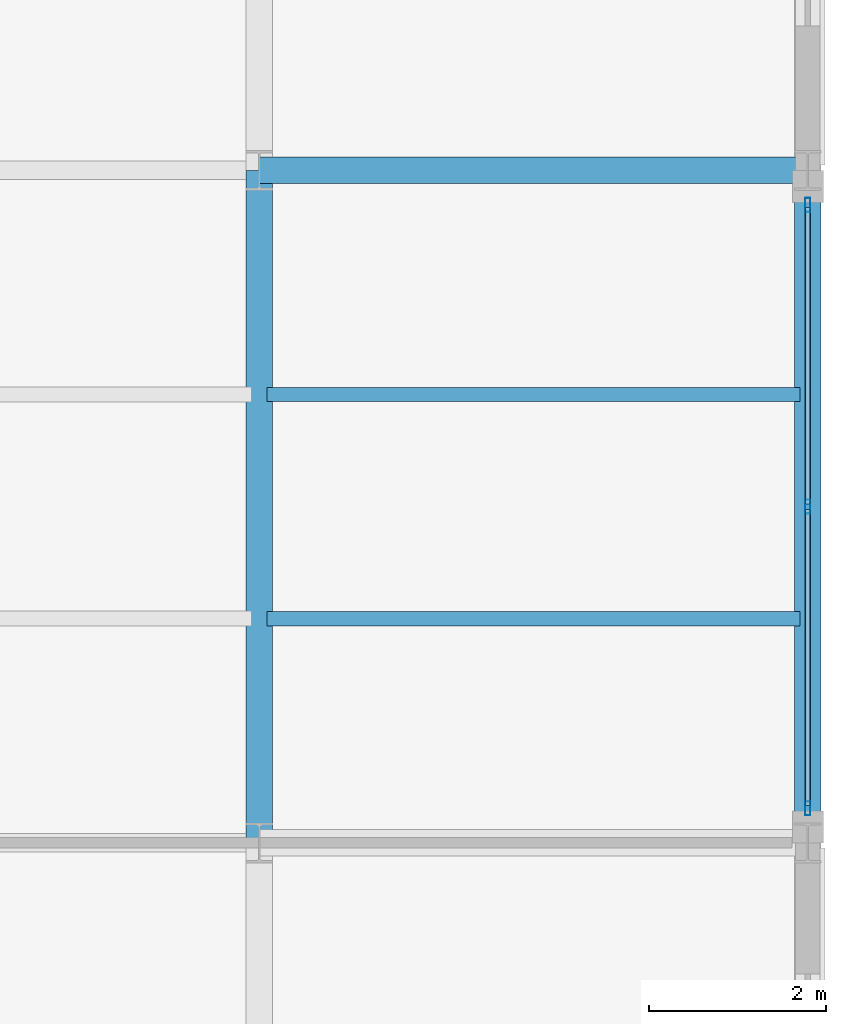
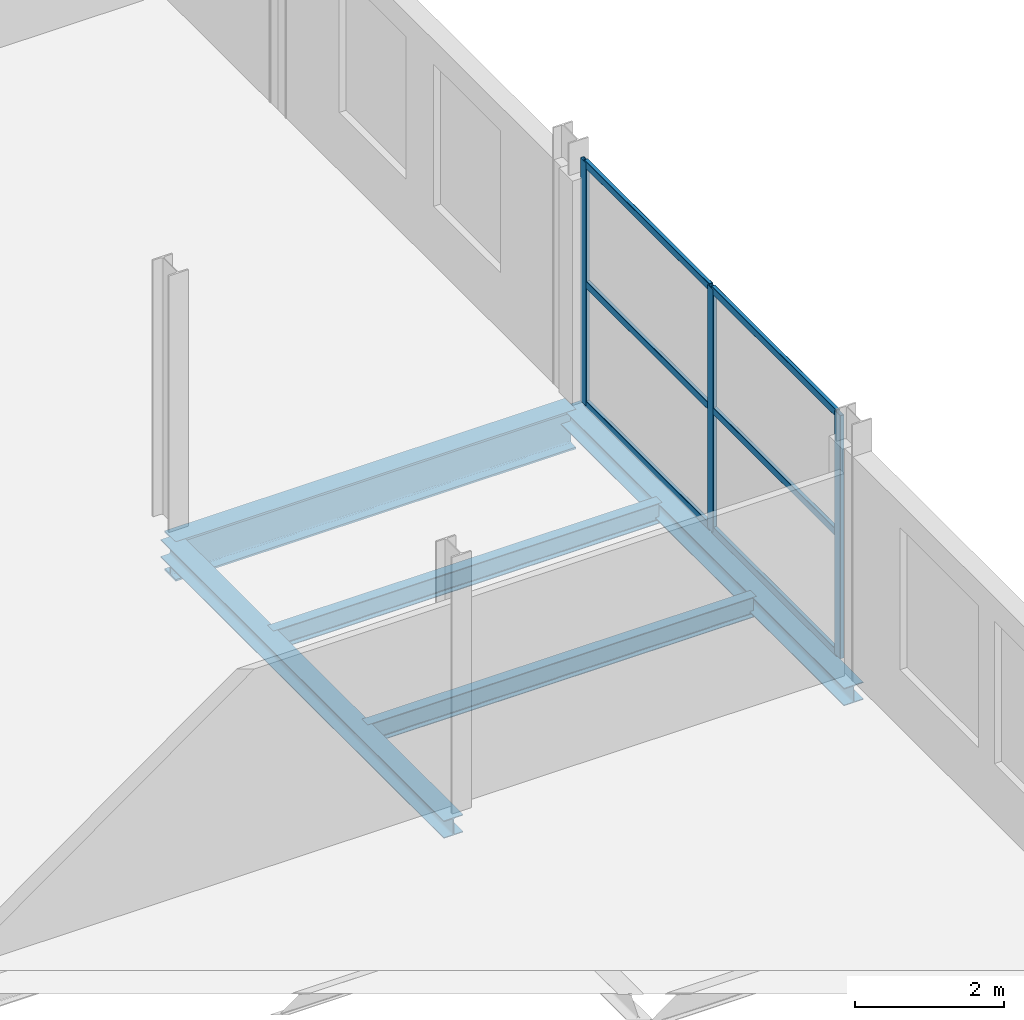
# One storey, part 73 of 93: 9 members, 5 beams, 1 element without a shape of its own.
"""IFC4 building model written with IfcOpenShell, lengths in metres."""

from ifc_helpers import new_model, si_unit, direction, frame, origin, origin_2d, place, context, subcontext, project, spatial, hollow_rectangle, i_section, extrude, material, layer, layer_set, material_profile, profile_set, type_object, element, aggregate, save


model = new_model("IFC4")

# Units and contexts
model_context = context("Model", 3, precision=1e-05, world=origin(), true_north=direction((0.0, 1.0)))
body_context = subcontext(model_context, "Body", "Model", "MODEL_VIEW")
ifc_project = project(units=[si_unit("LENGTHUNIT", "METRE"), si_unit("AREAUNIT", "SQUARE_METRE"), si_unit("VOLUMEUNIT", "CUBIC_METRE"), si_unit("PLANEANGLEUNIT", "RADIAN"), si_unit("MASSUNIT", "GRAM", prefix="KILO")], contexts=[model_context])

# Site, building, storey
site_placement = place(None, origin())
site = spatial("IfcSite", under=ifc_project, at=site_placement, CompositionType="ELEMENT")
building_placement = place(site_placement, origin())
building = spatial("IfcBuilding", under=site, at=building_placement, Name="Vekula Escarpment Museum", CompositionType="ELEMENT")
storey_placement = place(building_placement, frame((0.0, 0.0, 22.199951171875)))
storey = spatial("IfcBuildingStorey", under=building, at=storey_placement, Name="L05", CompositionType="ELEMENT", Elevation=22.199951171875)

# Beams
ifc_material_1 = material(Name="Steel S355", Category="steel")
ifc_material_profile_1 = material_profile(ifc_material_1, i_section(OverallWidth=0.300048828125, OverallDepth=0.64990234375, WebThickness=0.01611328125, FlangeThickness=0.031005859375, FilletRadius=0.027099609375, at=origin_2d()), Name="HEB 650")
ifc_profile_set_1 = profile_set([ifc_material_profile_1], Name="Steel S355")
beam_type_1 = type_object("IfcBeamType", Name="BM-GIRD-HEB650", PredefinedType="BEAM", material=ifc_profile_set_1)
beam_placement = place(storey_placement, frame((191.800048828125, 105.60009765625, -0.574951171875), z_axis=(1.0, 0.0, 0.0), x_axis=(0.0, 1.0, 0.0)))
element("IfcBeam", 1, at=beam_placement, inside=storey, type_object=beam_type_1, Name="Beam X L05 2062", PredefinedType="BEAM", context=body_context, shape_type="SweptSolid", body=[
    extrude(i_section(OverallWidth=0.300048828125, OverallDepth=0.64990234375, WebThickness=0.01611328125, FlangeThickness=0.031005859375, FilletRadius=0.027099609375, at=origin_2d()), origin(), (0.0, 0.0, 1.0), 6.199951171875),
])
ifc_material_2 = material(Name="Steel S355", Category="steel")
ifc_material_profile_2 = material_profile(ifc_material_2, i_section(OverallWidth=0.159912109375, OverallDepth=0.330078125, WebThickness=0.007568359375, FlangeThickness=0.011474609375, FilletRadius=0.01806640625, at=origin_2d()), Name="IPE 330")
ifc_profile_set_2 = profile_set([ifc_material_profile_2], Name="Steel S355")
beam_type_2 = type_object("IfcBeamType", Name="BM-JST-IPE330", PredefinedType="JOIST", material=ifc_profile_set_2)
for number, where, z_axis, x_axis, name in (
    (2, (191.889892578125, 100.533203125, -0.4150390625), (1.0, 0.0, 0.0), (0.0, 1.0, 0.0), "Secondary Joist L05 1421"),
    (3, (191.889892578125, 103.066650390625, -0.4150390625), (1.0, 0.0, 0.0), (0.0, 1.0, 0.0), "Secondary Joist L05 1422"),
):
    element("IfcBeam", number, at=place(storey_placement, frame(where, z_axis=z_axis, x_axis=x_axis)), inside=storey, type_object=beam_type_2, Name=name, PredefinedType="JOIST", context=body_context, shape_type="SweptSolid", body=[
        extrude(i_section(OverallWidth=0.159912109375, OverallDepth=0.330078125, WebThickness=0.007568359375, FlangeThickness=0.011474609375, FilletRadius=0.01806640625, at=origin_2d()), origin(), (0.0, 0.0, 1.0), 6.02001953125),
    ])
ifc_material_3 = material(Name="Steel S355", Category="steel")
ifc_material_profile_3 = material_profile(ifc_material_3, i_section(OverallWidth=0.300048828125, OverallDepth=0.2900390625, WebThickness=0.008544921875, FlangeThickness=0.013916015625, FilletRadius=0.027099609375, at=origin_2d()), Name="HEA 300")
ifc_profile_set_3 = profile_set([ifc_material_profile_3], Name="Steel S355")
beam_type_3 = type_object("IfcBeamType", Name="BM-SPAN-HEA300", PredefinedType="SPANDREL", material=ifc_profile_set_3)
for number, where, z_axis, x_axis, name in (
    (4, (191.800048828125, 98.0, -0.39501953125), (0.0, 1.0, 0.0), (-1.0, 0.0, 0.0), "Beam Y L05 2181"),
    (5, (198.0, 98.0, -0.39501953125), (0.0, 1.0, 0.0), (-1.0, 0.0, 0.0), "Beam Y L05 2189"),
):
    element("IfcBeam", number, at=place(storey_placement, frame(where, z_axis=z_axis, x_axis=x_axis)), inside=storey, type_object=beam_type_3, Name=name, PredefinedType="SPANDREL", context=body_context, shape_type="SweptSolid", body=[
        extrude(i_section(OverallWidth=0.300048828125, OverallDepth=0.2900390625, WebThickness=0.008544921875, FlangeThickness=0.013916015625, FilletRadius=0.027099609375, at=origin_2d()), origin(), (0.0, 0.0, 1.0), 7.60009765625),
    ])

# Curtain wall, members
ifc_material_4 = material(Name="Aluminium thermally broken framing", Category="aluminium")
ifc_layer = layer(ifc_material_4, 0.179931640625)
ifc_layer_set = layer_set([ifc_layer], Name="Aluminium thermally broken framing")
curtain_wall_type = type_object("IfcCurtainWallType", Name="CW-SYS-07", PredefinedType="NOTDEFINED", material=ifc_layer_set)
curtain_wall_placement = place(storey_placement, origin())
curtain_wall = element("IfcCurtainWall", 6, at=curtain_wall_placement, inside=storey, type_object=curtain_wall_type, Name="Curtain Wall CW-L05-187", PredefinedType="NOTDEFINED")
ifc_material_5 = material(Name="Aluminium anodized mullion", Category="aluminium")
ifc_material_profile_4 = material_profile(ifc_material_5, hollow_rectangle(XDim=0.06005859375, YDim=0.159912109375, WallThickness=0.00390625, InnerFilletRadius=0.00390625, OuterFilletRadius=0.008056640625, at=origin_2d()), Name="ALU 160x60x4")
ifc_profile_set_4 = profile_set([ifc_material_profile_4], Name="Aluminium anodized mullion")
member_type_1 = type_object("IfcMemberType", Name="CW-MUL-160", PredefinedType="MULLION", material=ifc_profile_set_4)
member_1_placement = place(storey_placement, frame((198.0, 98.389892578125, 0.0), z_axis=(0.0, 0.0, 1.0), x_axis=(-1.0, 0.0, 0.0)))
member_1 = element("IfcMember", 7, at=member_1_placement, type_object=member_type_1, Name="CW-07 mullion 1", PredefinedType="MULLION", context=body_context, shape_type="SweptSolid", body=[
    extrude(hollow_rectangle(XDim=0.06005859375, YDim=0.159912109375, WallThickness=0.00390625, InnerFilletRadius=0.00390625, OuterFilletRadius=0.008056640625, at=origin_2d()), origin(), (0.0, 0.0, 1.0), 3.97998046875),
])
member_2_placement = place(storey_placement, frame((198.0, 101.800048828125, 0.0), z_axis=(0.0, 0.0, 1.0), x_axis=(-1.0, 0.0, 0.0)))
member_2 = element("IfcMember", 8, at=member_2_placement, type_object=member_type_1, Name="CW-07 mullion 2", PredefinedType="MULLION", context=body_context, shape_type="SweptSolid", body=[
    extrude(hollow_rectangle(XDim=0.06005859375, YDim=0.159912109375, WallThickness=0.00390625, InnerFilletRadius=0.00390625, OuterFilletRadius=0.008056640625, at=origin_2d()), origin(), (0.0, 0.0, 1.0), 3.97998046875),
])
member_3_placement = place(storey_placement, frame((198.0, 105.2099609375, 0.0), z_axis=(0.0, 0.0, 1.0), x_axis=(-1.0, 0.0, 0.0)))
member_3 = element("IfcMember", 9, at=member_3_placement, type_object=member_type_1, Name="CW-07 mullion 3", PredefinedType="MULLION", context=body_context, shape_type="SweptSolid", body=[
    extrude(hollow_rectangle(XDim=0.06005859375, YDim=0.159912109375, WallThickness=0.00390625, InnerFilletRadius=0.00390625, OuterFilletRadius=0.008056640625, at=origin_2d()), origin(), (0.0, 0.0, 1.0), 3.97998046875),
])
ifc_material_6 = material(Name="Aluminium anodized transom", Category="aluminium")
ifc_material_profile_5 = material_profile(ifc_material_6, hollow_rectangle(XDim=0.06005859375, YDim=0.1201171875, WallThickness=0.00390625, InnerFilletRadius=0.00390625, OuterFilletRadius=0.008056640625, at=origin_2d()), Name="ALU 120x60x4")
ifc_profile_set_5 = profile_set([ifc_material_profile_5], Name="Aluminium anodized transom")
member_type_2 = type_object("IfcMemberType", Name="CW-TRN-120", PredefinedType="USERDEFINED", material=ifc_profile_set_5)
member_4_placement = place(storey_placement, frame((198.0, 98.419921875, 0.030029296875), z_axis=(0.0, 1.0, 0.0), x_axis=(-1.0, 0.0, 0.0)))
member_4 = element("IfcMember", 10, at=member_4_placement, type_object=member_type_2, Name="CW-07 transom 1.1", ObjectType="TRANSOM", PredefinedType="USERDEFINED", context=body_context, shape_type="SweptSolid", body=[
    extrude(hollow_rectangle(XDim=0.06005859375, YDim=0.1201171875, WallThickness=0.00390625, InnerFilletRadius=0.00390625, OuterFilletRadius=0.008056640625, at=origin_2d()), origin(), (0.0, 0.0, 1.0), 3.35009765625),
])
member_5_placement = place(storey_placement, frame((198.0, 98.419921875, 1.989990234375), z_axis=(0.0, 1.0, 0.0), x_axis=(-1.0, 0.0, 0.0)))
member_5 = element("IfcMember", 11, at=member_5_placement, type_object=member_type_2, Name="CW-07 transom 1.2", ObjectType="TRANSOM", PredefinedType="USERDEFINED", context=body_context, shape_type="SweptSolid", body=[
    extrude(hollow_rectangle(XDim=0.06005859375, YDim=0.1201171875, WallThickness=0.00390625, InnerFilletRadius=0.00390625, OuterFilletRadius=0.008056640625, at=origin_2d()), origin(), (0.0, 0.0, 1.0), 3.35009765625),
])
member_6_placement = place(storey_placement, frame((198.0, 98.419921875, 3.949951171875), z_axis=(0.0, 1.0, 0.0), x_axis=(-1.0, 0.0, 0.0)))
member_6 = element("IfcMember", 12, at=member_6_placement, type_object=member_type_2, Name="CW-07 transom 1.3", ObjectType="TRANSOM", PredefinedType="USERDEFINED", context=body_context, shape_type="SweptSolid", body=[
    extrude(hollow_rectangle(XDim=0.06005859375, YDim=0.1201171875, WallThickness=0.00390625, InnerFilletRadius=0.00390625, OuterFilletRadius=0.008056640625, at=origin_2d()), origin(), (0.0, 0.0, 1.0), 3.35009765625),
])
member_7_placement = place(storey_placement, frame((198.0, 101.830078125, 0.030029296875), z_axis=(0.0, 1.0, 0.0), x_axis=(-1.0, 0.0, 0.0)))
member_7 = element("IfcMember", 13, at=member_7_placement, type_object=member_type_2, Name="CW-07 transom 2.1", ObjectType="TRANSOM", PredefinedType="USERDEFINED", context=body_context, shape_type="SweptSolid", body=[
    extrude(hollow_rectangle(XDim=0.06005859375, YDim=0.1201171875, WallThickness=0.00390625, InnerFilletRadius=0.00390625, OuterFilletRadius=0.008056640625, at=origin_2d()), origin(), (0.0, 0.0, 1.0), 3.349853515625),
])
member_8_placement = place(storey_placement, frame((198.0, 101.830078125, 1.989990234375), z_axis=(0.0, 1.0, 0.0), x_axis=(-1.0, 0.0, 0.0)))
member_8 = element("IfcMember", 14, at=member_8_placement, type_object=member_type_2, Name="CW-07 transom 2.2", ObjectType="TRANSOM", PredefinedType="USERDEFINED", context=body_context, shape_type="SweptSolid", body=[
    extrude(hollow_rectangle(XDim=0.06005859375, YDim=0.1201171875, WallThickness=0.00390625, InnerFilletRadius=0.00390625, OuterFilletRadius=0.008056640625, at=origin_2d()), origin(), (0.0, 0.0, 1.0), 3.349853515625),
])
member_9_placement = place(storey_placement, frame((198.0, 101.830078125, 3.949951171875), z_axis=(0.0, 1.0, 0.0), x_axis=(-1.0, 0.0, 0.0)))
member_9 = element("IfcMember", 15, at=member_9_placement, type_object=member_type_2, Name="CW-07 transom 2.3", ObjectType="TRANSOM", PredefinedType="USERDEFINED", context=body_context, shape_type="SweptSolid", body=[
    extrude(hollow_rectangle(XDim=0.06005859375, YDim=0.1201171875, WallThickness=0.00390625, InnerFilletRadius=0.00390625, OuterFilletRadius=0.008056640625, at=origin_2d()), origin(), (0.0, 0.0, 1.0), 3.349853515625),
])
aggregate(curtain_wall, [member_1, member_2, member_3, member_4, member_5, member_6, member_7, member_8, member_9])

save(model, "model.ifc")
